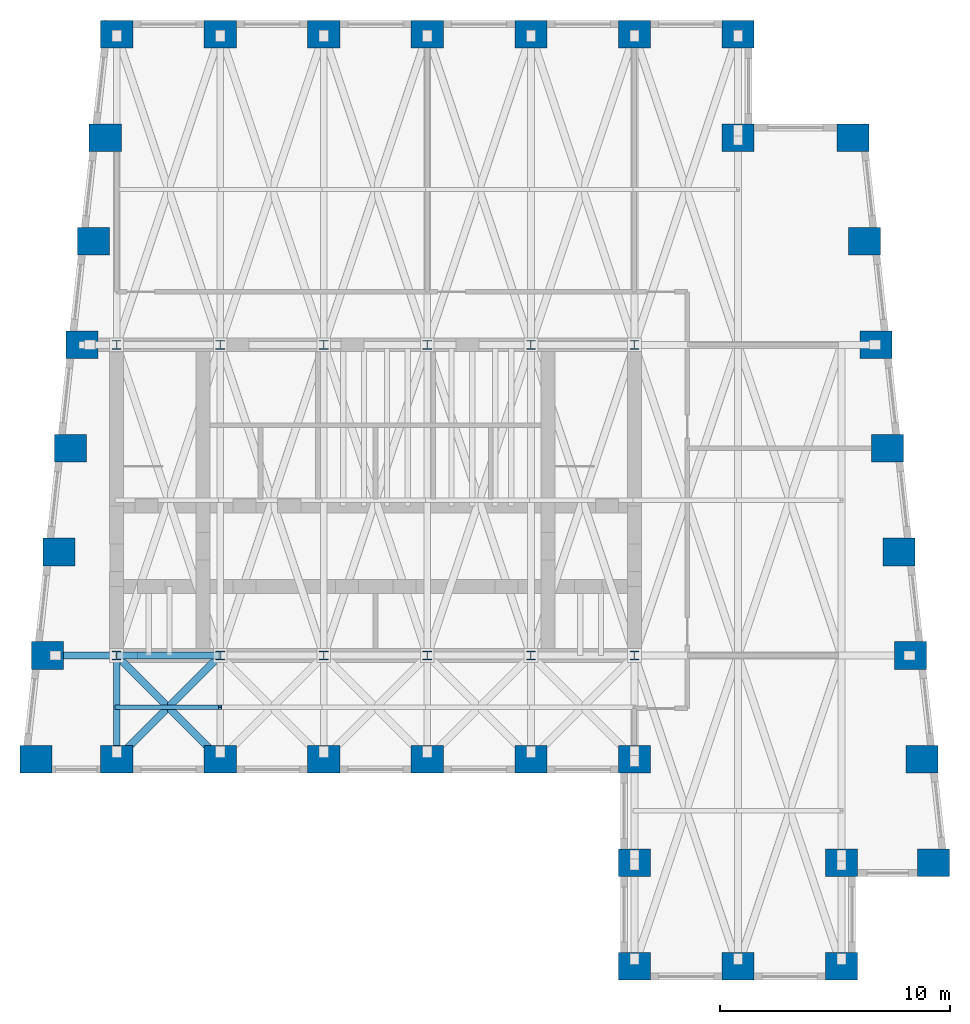
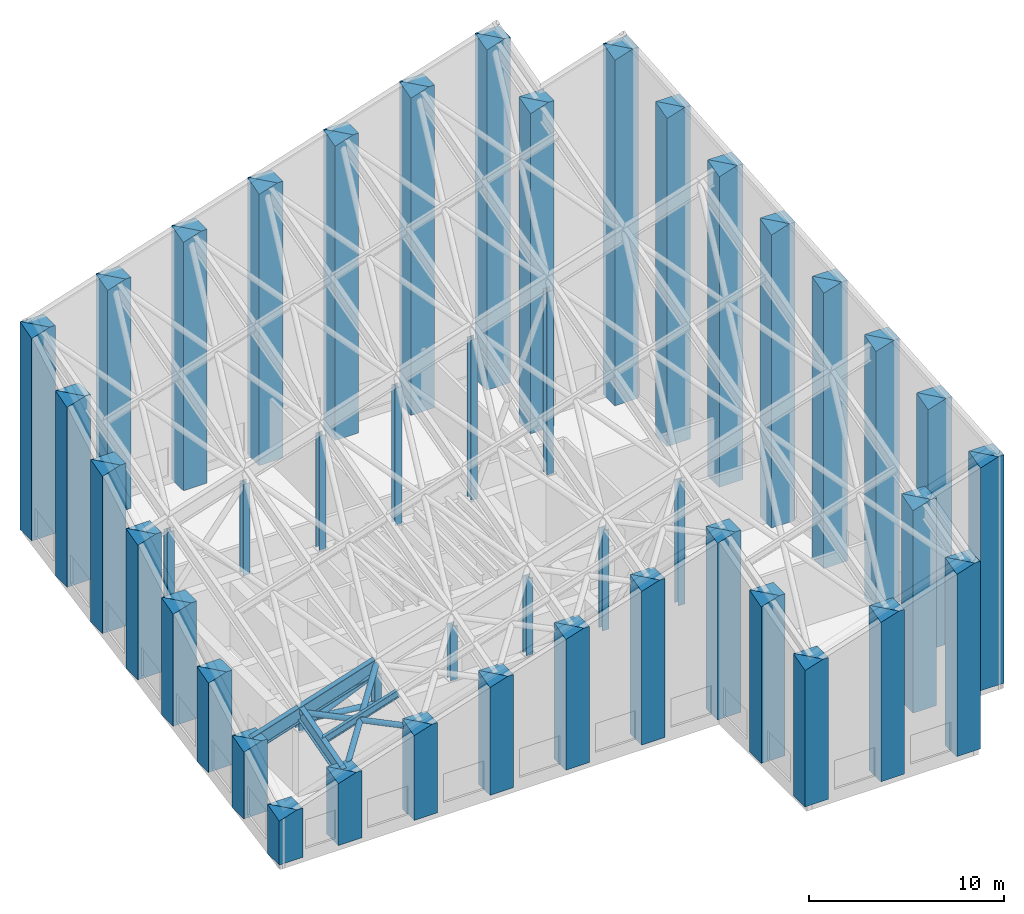
# One storey, part 1 of 7: 46 columns, 4 beams, 4 members.
"""IFC4 building model written with IfcOpenShell, lengths in metres."""

from ifc_helpers import new_model, si_unit, direction, frame, origin, origin_2d, place, context, subcontext, project, spatial, rectangle, hollow_circle, i_section, extrude, clip, halfspace, material, material_profile, profile_set, type_object, element, save


model = new_model("IFC4")

# Units and contexts
model_context = context("Model", 3, precision=1e-05, world=origin(), true_north=direction((0.0, 1.0)))
body_context = subcontext(model_context, "Body", "Model", "MODEL_VIEW")
ifc_project = project(units=[si_unit("LENGTHUNIT", "METRE"), si_unit("AREAUNIT", "SQUARE_METRE"), si_unit("VOLUMEUNIT", "CUBIC_METRE"), si_unit("PLANEANGLEUNIT", "RADIAN"), si_unit("MASSUNIT", "GRAM", prefix="KILO")], contexts=[model_context])

# Site, building, storey
site_placement = place(None, origin())
site = spatial("IfcSite", under=ifc_project, at=site_placement, CompositionType="ELEMENT")
building_placement = place(site_placement, origin())
building = spatial("IfcBuilding", under=site, at=building_placement, Name="Kilele Tower Hotel", CompositionType="ELEMENT")
storey_placement = place(building_placement, frame((0.0, 0.0, 289.699951171875)))
storey = spatial("IfcBuildingStorey", under=building, at=storey_placement, Name="CROWN", CompositionType="ELEMENT", Elevation=289.699951171875)

# Columns
ifc_material_1 = material(Name="Steel S355", Category="steel")
ifc_material_profile_1 = material_profile(ifc_material_1, i_section(OverallWidth=0.39892578125, OverallDepth=0.3935546875, WebThickness=0.022705078125, FlangeThickness=0.03662109375, FilletRadius=0.01513671875, at=origin_2d()))
ifc_profile_set_1 = profile_set([ifc_material_profile_1], Name="Steel S355")
column_type_1 = type_object("IfcColumnType", Name="Crown post UKC 356x406x287", PredefinedType="COLUMN", material=ifc_profile_set_1)
column_1_placement = place(storey_placement, frame((13.5, 13.5, 4.0), z_axis=(0.0, 0.0, 1.0), x_axis=(1.0, 0.0, 0.0)))
element("IfcColumn", 1, at=column_1_placement, inside=storey, type_object=column_type_1, Name="Crown post CP", PredefinedType="COLUMN", context=body_context, shape_type="SweptSolid", body=[
    extrude(i_section(OverallWidth=0.39892578125, OverallDepth=0.3935546875, WebThickness=0.022705078125, FlangeThickness=0.03662109375, FilletRadius=0.01513671875, at=origin_2d()), origin(), (0.0, 0.0, 1.0), 0.509765625),
])
column_2_placement = place(storey_placement, frame((18.0, 13.5, 4.0), z_axis=(0.0, 0.0, 1.0), x_axis=(1.0, 0.0, 0.0)))
element("IfcColumn", 2, at=column_2_placement, inside=storey, type_object=column_type_1, Name="Crown post CP", PredefinedType="COLUMN", context=body_context, shape_type="SweptSolid", body=[
    extrude(i_section(OverallWidth=0.39892578125, OverallDepth=0.3935546875, WebThickness=0.022705078125, FlangeThickness=0.03662109375, FilletRadius=0.01513671875, at=origin_2d()), origin(), (0.0, 0.0, 1.0), 1.949951171875),
])
column_3_placement = place(storey_placement, frame((22.5, 13.5, 4.0), z_axis=(0.0, 0.0, 1.0), x_axis=(1.0, 0.0, 0.0)))
element("IfcColumn", 3, at=column_3_placement, inside=storey, type_object=column_type_1, Name="Crown post CP", PredefinedType="COLUMN", context=body_context, shape_type="SweptSolid", body=[
    extrude(i_section(OverallWidth=0.39892578125, OverallDepth=0.3935546875, WebThickness=0.022705078125, FlangeThickness=0.03662109375, FilletRadius=0.01513671875, at=origin_2d()), origin(), (0.0, 0.0, 1.0), 3.389892578125),
])
column_4_placement = place(storey_placement, frame((27.0, 13.5, 4.0), z_axis=(0.0, 0.0, 1.0), x_axis=(1.0, 0.0, 0.0)))
element("IfcColumn", 4, at=column_4_placement, inside=storey, type_object=column_type_1, Name="Crown post CP", PredefinedType="COLUMN", context=body_context, shape_type="SweptSolid", body=[
    extrude(i_section(OverallWidth=0.39892578125, OverallDepth=0.3935546875, WebThickness=0.022705078125, FlangeThickness=0.03662109375, FilletRadius=0.01513671875, at=origin_2d()), origin(), (0.0, 0.0, 1.0), 4.829833984375),
])
column_5_placement = place(storey_placement, frame((31.5, 13.5, 4.0), z_axis=(0.0, 0.0, 1.0), x_axis=(1.0, 0.0, 0.0)))
element("IfcColumn", 5, at=column_5_placement, inside=storey, type_object=column_type_1, Name="Crown post CP", PredefinedType="COLUMN", context=body_context, shape_type="SweptSolid", body=[
    extrude(i_section(OverallWidth=0.39892578125, OverallDepth=0.3935546875, WebThickness=0.022705078125, FlangeThickness=0.03662109375, FilletRadius=0.01513671875, at=origin_2d()), origin(), (0.0, 0.0, 1.0), 6.269775390625),
])
column_6_placement = place(storey_placement, frame((36.0, 13.5, 4.0), z_axis=(0.0, 0.0, 1.0), x_axis=(1.0, 0.0, 0.0)))
element("IfcColumn", 6, at=column_6_placement, inside=storey, type_object=column_type_1, Name="Crown post CP", PredefinedType="COLUMN", context=body_context, shape_type="SweptSolid", body=[
    extrude(i_section(OverallWidth=0.39892578125, OverallDepth=0.3935546875, WebThickness=0.022705078125, FlangeThickness=0.03662109375, FilletRadius=0.01513671875, at=origin_2d()), origin(), (0.0, 0.0, 1.0), 7.709716796875),
])
column_7_placement = place(storey_placement, frame((13.5, 27.0, 4.0), z_axis=(0.0, 0.0, 1.0), x_axis=(1.0, 0.0, 0.0)))
element("IfcColumn", 7, at=column_7_placement, inside=storey, type_object=column_type_1, Name="Crown post CP", PredefinedType="COLUMN", context=body_context, shape_type="SweptSolid", body=[
    extrude(i_section(OverallWidth=0.39892578125, OverallDepth=0.3935546875, WebThickness=0.022705078125, FlangeThickness=0.03662109375, FilletRadius=0.01513671875, at=origin_2d()), origin(), (0.0, 0.0, 1.0), 4.289794921875),
])
column_8_placement = place(storey_placement, frame((18.0, 27.0, 4.0), z_axis=(0.0, 0.0, 1.0), x_axis=(1.0, 0.0, 0.0)))
element("IfcColumn", 8, at=column_8_placement, inside=storey, type_object=column_type_1, Name="Crown post CP", PredefinedType="COLUMN", context=body_context, shape_type="SweptSolid", body=[
    extrude(i_section(OverallWidth=0.39892578125, OverallDepth=0.3935546875, WebThickness=0.022705078125, FlangeThickness=0.03662109375, FilletRadius=0.01513671875, at=origin_2d()), origin(), (0.0, 0.0, 1.0), 5.729736328125),
])
column_9_placement = place(storey_placement, frame((22.5, 27.0, 4.0), z_axis=(0.0, 0.0, 1.0), x_axis=(1.0, 0.0, 0.0)))
element("IfcColumn", 9, at=column_9_placement, inside=storey, type_object=column_type_1, Name="Crown post CP", PredefinedType="COLUMN", context=body_context, shape_type="SweptSolid", body=[
    extrude(i_section(OverallWidth=0.39892578125, OverallDepth=0.3935546875, WebThickness=0.022705078125, FlangeThickness=0.03662109375, FilletRadius=0.01513671875, at=origin_2d()), origin(), (0.0, 0.0, 1.0), 7.169921875),
])
column_10_placement = place(storey_placement, frame((27.0, 27.0, 4.0), z_axis=(0.0, 0.0, 1.0), x_axis=(1.0, 0.0, 0.0)))
element("IfcColumn", 10, at=column_10_placement, inside=storey, type_object=column_type_1, Name="Crown post CP", PredefinedType="COLUMN", context=body_context, shape_type="SweptSolid", body=[
    extrude(i_section(OverallWidth=0.39892578125, OverallDepth=0.3935546875, WebThickness=0.022705078125, FlangeThickness=0.03662109375, FilletRadius=0.01513671875, at=origin_2d()), origin(), (0.0, 0.0, 1.0), 8.60986328125),
])
column_11_placement = place(storey_placement, frame((31.5, 27.0, 4.0), z_axis=(0.0, 0.0, 1.0), x_axis=(1.0, 0.0, 0.0)))
element("IfcColumn", 11, at=column_11_placement, inside=storey, type_object=column_type_1, Name="Crown post CP", PredefinedType="COLUMN", context=body_context, shape_type="SweptSolid", body=[
    extrude(i_section(OverallWidth=0.39892578125, OverallDepth=0.3935546875, WebThickness=0.022705078125, FlangeThickness=0.03662109375, FilletRadius=0.01513671875, at=origin_2d()), origin(), (0.0, 0.0, 1.0), 10.0498046875),
])
column_12_placement = place(storey_placement, frame((36.0, 27.0, 4.0), z_axis=(0.0, 0.0, 1.0), x_axis=(1.0, 0.0, 0.0)))
element("IfcColumn", 12, at=column_12_placement, inside=storey, type_object=column_type_1, Name="Crown post CP", PredefinedType="COLUMN", context=body_context, shape_type="SweptSolid", body=[
    extrude(i_section(OverallWidth=0.39892578125, OverallDepth=0.3935546875, WebThickness=0.022705078125, FlangeThickness=0.03662109375, FilletRadius=0.01513671875, at=origin_2d()), origin(), (0.0, 0.0, 1.0), 11.48974609375),
])
ifc_material_2 = material(Name="Concrete C60/75", Category="concrete")
ifc_material_profile_2 = material_profile(ifc_material_2, rectangle(XDim=1.39990234375, YDim=1.199951171875, at=origin_2d()))
ifc_profile_set_2 = profile_set([ifc_material_profile_2], Name="Concrete C60/75")
column_type_2 = type_object("IfcColumnType", Name="Tube column RC 1400x1200 C60/75", PredefinedType="COLUMN", material=ifc_profile_set_2)
column_13_placement = place(storey_placement, frame((10.0, 9.0, 0.0), z_axis=(0.0, 0.0, 1.0), x_axis=(1.0, 0.0, 0.0)))
element("IfcColumn", 13, at=column_13_placement, inside=storey, type_object=column_type_2, Name="Column TC5 CROWN", PredefinedType="COLUMN", context=body_context, shape_type="Clipping", body=[
    clip(extrude(rectangle(XDim=1.39990234375, YDim=1.199951171875, at=origin_2d()), origin(), (0.0, 0.0, 1.0), 3.102783203125), halfspace(frame((0.0, 0.0, 3.150634765625), z_axis=(-0.294483896091, -0.25767390908, 0.920262675285), x_axis=(0.952424195267, 0.0, 0.304775576894)), False)),
])
column_14_placement = place(storey_placement, frame((13.5, 9.0, 0.0), z_axis=(0.0, 0.0, 1.0), x_axis=(1.0, 0.0, 0.0)))
element("IfcColumn", 14, at=column_14_placement, inside=storey, type_object=column_type_2, Name="Column TC5 CROWN", PredefinedType="COLUMN", context=body_context, shape_type="Clipping", body=[
    clip(extrude(rectangle(XDim=1.39990234375, YDim=1.199951171875, at=origin_2d()), origin(), (0.0, 0.0, 1.0), 4.22265625), halfspace(frame((0.0, 0.0, 4.270751953125), z_axis=(-0.294483896091, -0.25767390908, 0.920262675285), x_axis=(0.952424195267, 0.0, 0.304775576894)), False)),
])
column_15_placement = place(storey_placement, frame((18.0, 9.0, 0.0), z_axis=(0.0, 0.0, 1.0), x_axis=(1.0, 0.0, 0.0)))
element("IfcColumn", 15, at=column_15_placement, inside=storey, type_object=column_type_2, Name="Column TC5 CROWN", PredefinedType="COLUMN", context=body_context, shape_type="Clipping", body=[
    clip(extrude(rectangle(XDim=1.39990234375, YDim=1.199951171875, at=origin_2d()), origin(), (0.0, 0.0, 1.0), 5.66259765625), halfspace(frame((0.0, 0.0, 5.710693359375), z_axis=(-0.294483896091, -0.25767390908, 0.920262675285), x_axis=(0.952424195267, 0.0, 0.304775576894)), False)),
])
column_16_placement = place(storey_placement, frame((22.5, 9.0, 0.0), z_axis=(0.0, 0.0, 1.0), x_axis=(1.0, 0.0, 0.0)))
element("IfcColumn", 16, at=column_16_placement, inside=storey, type_object=column_type_2, Name="Column TC5 CROWN", PredefinedType="COLUMN", context=body_context, shape_type="Clipping", body=[
    clip(extrude(rectangle(XDim=1.39990234375, YDim=1.199951171875, at=origin_2d()), origin(), (0.0, 0.0, 1.0), 7.102783203125), halfspace(frame((0.0, 0.0, 7.150634765625), z_axis=(-0.294483896091, -0.25767390908, 0.920262675285), x_axis=(0.952424195267, 0.0, 0.304775576894)), False)),
])
column_17_placement = place(storey_placement, frame((27.0, 9.0, 0.0), z_axis=(0.0, 0.0, 1.0), x_axis=(1.0, 0.0, 0.0)))
element("IfcColumn", 17, at=column_17_placement, inside=storey, type_object=column_type_2, Name="Column TC5 CROWN", PredefinedType="COLUMN", context=body_context, shape_type="Clipping", body=[
    clip(extrude(rectangle(XDim=1.39990234375, YDim=1.199951171875, at=origin_2d()), origin(), (0.0, 0.0, 1.0), 8.542724609375), halfspace(frame((0.0, 0.0, 8.5908203125), z_axis=(-0.294483896091, -0.25767390908, 0.920262675285), x_axis=(0.952424195267, 0.0, 0.304775576894)), False)),
])
column_18_placement = place(storey_placement, frame((31.5, 9.0, 0.0), z_axis=(0.0, 0.0, 1.0), x_axis=(1.0, 0.0, 0.0)))
element("IfcColumn", 18, at=column_18_placement, inside=storey, type_object=column_type_2, Name="Column TC5 CROWN", PredefinedType="COLUMN", context=body_context, shape_type="Clipping", body=[
    clip(extrude(rectangle(XDim=1.39990234375, YDim=1.199951171875, at=origin_2d()), origin(), (0.0, 0.0, 1.0), 9.982666015625), halfspace(frame((0.0, 0.0, 10.03076171875), z_axis=(-0.294483896091, -0.25767390908, 0.920262675285), x_axis=(0.952424195267, 0.0, 0.304775576894)), False)),
])
column_19_placement = place(storey_placement, frame((36.0, 9.0, 0.0), z_axis=(0.0, 0.0, 1.0), x_axis=(1.0, 0.0, 0.0)))
element("IfcColumn", 19, at=column_19_placement, inside=storey, type_object=column_type_2, Name="Column TC5 CROWN", PredefinedType="COLUMN", context=body_context, shape_type="Clipping", body=[
    clip(extrude(rectangle(XDim=1.39990234375, YDim=1.199951171875, at=origin_2d()), origin(), (0.0, 0.0, 1.0), 11.422607421875), halfspace(frame((0.0, 0.0, 11.470703125), z_axis=(-0.294483896091, -0.25767390908, 0.920262675285), x_axis=(0.952424195267, 0.0, 0.304775576894)), False)),
])
column_20_placement = place(storey_placement, frame((36.0, 4.5, 0.0), z_axis=(0.0, 0.0, 1.0), x_axis=(1.0, 0.0, 0.0)))
element("IfcColumn", 20, at=column_20_placement, inside=storey, type_object=column_type_2, Name="Column TC5 CROWN", PredefinedType="COLUMN", context=body_context, shape_type="Clipping", body=[
    clip(extrude(rectangle(XDim=1.39990234375, YDim=1.199951171875, at=origin_2d()), origin(), (0.0, 0.0, 1.0), 10.16259765625), halfspace(frame((0.0, 0.0, 10.210693359375), z_axis=(-0.294483896091, -0.25767390908, 0.920262675285), x_axis=(0.952424195267, 0.0, 0.304775576894)), False)),
])
column_21_placement = place(storey_placement, frame((36.0, 0.0, 0.0), z_axis=(0.0, 0.0, 1.0), x_axis=(1.0, 0.0, 0.0)))
element("IfcColumn", 21, at=column_21_placement, inside=storey, type_object=column_type_2, Name="Column TC5 CROWN", PredefinedType="COLUMN", context=body_context, shape_type="Clipping", body=[
    clip(extrude(rectangle(XDim=1.39990234375, YDim=1.199951171875, at=origin_2d()), origin(), (0.0, 0.0, 1.0), 8.90283203125), halfspace(frame((0.0, 0.0, 8.95068359375), z_axis=(-0.294483896091, -0.25767390908, 0.920262675285), x_axis=(0.952424195267, 0.0, 0.304775576894)), False)),
])
column_22_placement = place(storey_placement, frame((40.5, 0.0, 0.0), z_axis=(0.0, 0.0, 1.0), x_axis=(1.0, 0.0, 0.0)))
element("IfcColumn", 22, at=column_22_placement, inside=storey, type_object=column_type_2, Name="Column TC5 CROWN", PredefinedType="COLUMN", context=body_context, shape_type="Clipping", body=[
    clip(extrude(rectangle(XDim=1.39990234375, YDim=1.199951171875, at=origin_2d()), origin(), (0.0, 0.0, 1.0), 10.3427734375), halfspace(frame((0.0, 0.0, 10.390869140625), z_axis=(-0.294483896091, -0.25767390908, 0.920262675285), x_axis=(0.952424195267, 0.0, 0.304775576894)), False)),
])
column_23_placement = place(storey_placement, frame((45.0, 0.0, 0.0), z_axis=(0.0, 0.0, 1.0), x_axis=(1.0, 0.0, 0.0)))
element("IfcColumn", 23, at=column_23_placement, inside=storey, type_object=column_type_2, Name="Column TC5 CROWN", PredefinedType="COLUMN", context=body_context, shape_type="Clipping", body=[
    clip(extrude(rectangle(XDim=1.39990234375, YDim=1.199951171875, at=origin_2d()), origin(), (0.0, 0.0, 1.0), 11.78271484375), halfspace(frame((0.0, 0.0, 11.830810546875), z_axis=(-0.294483896091, -0.25767390908, 0.920262675285), x_axis=(0.952424195267, 0.0, 0.304775576894)), False)),
])
column_24_placement = place(storey_placement, frame((45.0, 4.5, 0.0), z_axis=(0.0, 0.0, 1.0), x_axis=(1.0, 0.0, 0.0)))
element("IfcColumn", 24, at=column_24_placement, inside=storey, type_object=column_type_2, Name="Column TC5 CROWN", PredefinedType="COLUMN", context=body_context, shape_type="Clipping", body=[
    clip(extrude(rectangle(XDim=1.39990234375, YDim=1.199951171875, at=origin_2d()), origin(), (0.0, 0.0, 1.0), 13.042724609375), halfspace(frame((0.0, 0.0, 13.0908203125), z_axis=(-0.294483896091, -0.25767390908, 0.920262675285), x_axis=(0.952424195267, 0.0, 0.304775576894)), False)),
])
column_25_placement = place(storey_placement, frame((49.0, 4.5, 0.0), z_axis=(0.0, 0.0, 1.0), x_axis=(1.0, 0.0, 0.0)))
element("IfcColumn", 25, at=column_25_placement, inside=storey, type_object=column_type_2, Name="Column TC5 CROWN", PredefinedType="COLUMN", context=body_context, shape_type="Clipping", body=[
    clip(extrude(rectangle(XDim=1.39990234375, YDim=1.199951171875, at=origin_2d()), origin(), (0.0, 0.0, 1.0), 14.32275390625), halfspace(frame((0.0, 0.0, 14.370849609375), z_axis=(-0.294483896091, -0.25767390908, 0.920262675285), x_axis=(0.952424195267, 0.0, 0.304775576894)), False)),
])
column_26_placement = place(storey_placement, frame((48.5, 9.0, 0.0), z_axis=(0.0, 0.0, 1.0), x_axis=(1.0, 0.0, 0.0)))
element("IfcColumn", 26, at=column_26_placement, inside=storey, type_object=column_type_2, Name="Column TC5 CROWN", PredefinedType="COLUMN", context=body_context, shape_type="Clipping", body=[
    clip(extrude(rectangle(XDim=1.39990234375, YDim=1.199951171875, at=origin_2d()), origin(), (0.0, 0.0, 1.0), 15.422607421875), halfspace(frame((0.0, 0.0, 15.470703125), z_axis=(-0.294483896091, -0.25767390908, 0.920262675285), x_axis=(0.952424195267, 0.0, 0.304775576894)), False)),
])
column_27_placement = place(storey_placement, frame((48.0, 13.5, 0.0), z_axis=(0.0, 0.0, 1.0), x_axis=(1.0, 0.0, 0.0)))
element("IfcColumn", 27, at=column_27_placement, inside=storey, type_object=column_type_2, Name="Column TC5 CROWN", PredefinedType="COLUMN", context=body_context, shape_type="Clipping", body=[
    clip(extrude(rectangle(XDim=1.39990234375, YDim=1.199951171875, at=origin_2d()), origin(), (0.0, 0.0, 1.0), 16.522705078125), halfspace(frame((0.0, 0.0, 16.57080078125), z_axis=(-0.294483896091, -0.25767390908, 0.920262675285), x_axis=(0.952424195267, 0.0, 0.304775576894)), False)),
])
column_28_placement = place(storey_placement, frame((47.5, 18.0, 0.0), z_axis=(0.0, 0.0, 1.0), x_axis=(1.0, 0.0, 0.0)))
element("IfcColumn", 28, at=column_28_placement, inside=storey, type_object=column_type_2, Name="Column TC5 CROWN", PredefinedType="COLUMN", context=body_context, shape_type="Clipping", body=[
    clip(extrude(rectangle(XDim=1.39990234375, YDim=1.199951171875, at=origin_2d()), origin(), (0.0, 0.0, 1.0), 17.622802734375), halfspace(frame((0.0, 0.0, 17.670654296875), z_axis=(-0.294483896091, -0.25767390908, 0.920262675285), x_axis=(0.952424195267, 0.0, 0.304775576894)), False)),
])
column_29_placement = place(storey_placement, frame((47.0, 22.5, 0.0), z_axis=(0.0, 0.0, 1.0), x_axis=(1.0, 0.0, 0.0)))
element("IfcColumn", 29, at=column_29_placement, inside=storey, type_object=column_type_2, Name="Column TC5 CROWN", PredefinedType="COLUMN", context=body_context, shape_type="Clipping", body=[
    clip(extrude(rectangle(XDim=1.39990234375, YDim=1.199951171875, at=origin_2d()), origin(), (0.0, 0.0, 1.0), 18.72265625), halfspace(frame((0.0, 0.0, 18.770751953125), z_axis=(-0.294483896091, -0.25767390908, 0.920262675285), x_axis=(0.952424195267, 0.0, 0.304775576894)), False)),
])
column_30_placement = place(storey_placement, frame((46.5, 27.0, 0.0), z_axis=(0.0, 0.0, 1.0), x_axis=(1.0, 0.0, 0.0)))
element("IfcColumn", 30, at=column_30_placement, inside=storey, type_object=column_type_2, Name="Column TC5 CROWN", PredefinedType="COLUMN", context=body_context, shape_type="Clipping", body=[
    clip(extrude(rectangle(XDim=1.39990234375, YDim=1.199951171875, at=origin_2d()), origin(), (0.0, 0.0, 1.0), 19.82275390625), halfspace(frame((0.0, 0.0, 19.870849609375), z_axis=(-0.294483896091, -0.25767390908, 0.920262675285), x_axis=(0.952424195267, 0.0, 0.304775576894)), False)),
])
column_31_placement = place(storey_placement, frame((46.0, 31.5, 0.0), z_axis=(0.0, 0.0, 1.0), x_axis=(1.0, 0.0, 0.0)))
element("IfcColumn", 31, at=column_31_placement, inside=storey, type_object=column_type_2, Name="Column TC5 CROWN", PredefinedType="COLUMN", context=body_context, shape_type="Clipping", body=[
    clip(extrude(rectangle(XDim=1.39990234375, YDim=1.199951171875, at=origin_2d()), origin(), (0.0, 0.0, 1.0), 20.922607421875), halfspace(frame((0.0, 0.0, 20.970703125), z_axis=(-0.294483896091, -0.25767390908, 0.920262675285), x_axis=(0.952424195267, 0.0, 0.304775576894)), False)),
])
column_32_placement = place(storey_placement, frame((45.5, 36.0, 0.0), z_axis=(0.0, 0.0, 1.0), x_axis=(1.0, 0.0, 0.0)))
element("IfcColumn", 32, at=column_32_placement, inside=storey, type_object=column_type_2, Name="Column TC5 CROWN", PredefinedType="COLUMN", context=body_context, shape_type="Clipping", body=[
    clip(extrude(rectangle(XDim=1.39990234375, YDim=1.199951171875, at=origin_2d()), origin(), (0.0, 0.0, 1.0), 22.022705078125), halfspace(frame((0.0, 0.0, 22.07080078125), z_axis=(-0.294483896091, -0.25767390908, 0.920262675285), x_axis=(0.952424195267, 0.0, 0.304775576894)), False)),
])
column_33_placement = place(storey_placement, frame((40.5, 36.0, 0.0), z_axis=(0.0, 0.0, 1.0), x_axis=(1.0, 0.0, 0.0)))
element("IfcColumn", 33, at=column_33_placement, inside=storey, type_object=column_type_2, Name="Column TC5 CROWN", PredefinedType="COLUMN", context=body_context, shape_type="Clipping", body=[
    clip(extrude(rectangle(XDim=1.39990234375, YDim=1.199951171875, at=origin_2d()), origin(), (0.0, 0.0, 1.0), 20.422607421875), halfspace(frame((0.0, 0.0, 20.470703125), z_axis=(-0.294483896091, -0.25767390908, 0.920262675285), x_axis=(0.952424195267, 0.0, 0.304775576894)), False)),
])
column_34_placement = place(storey_placement, frame((40.5, 40.5, 0.0), z_axis=(0.0, 0.0, 1.0), x_axis=(1.0, 0.0, 0.0)))
element("IfcColumn", 34, at=column_34_placement, inside=storey, type_object=column_type_2, Name="Column TC5 CROWN", PredefinedType="COLUMN", context=body_context, shape_type="Clipping", body=[
    clip(extrude(rectangle(XDim=1.39990234375, YDim=1.199951171875, at=origin_2d()), origin(), (0.0, 0.0, 1.0), 21.6826171875), halfspace(frame((0.0, 0.0, 21.730712890625), z_axis=(-0.294483896091, -0.25767390908, 0.920262675285), x_axis=(0.952424195267, 0.0, 0.304775576894)), False)),
])
column_35_placement = place(storey_placement, frame((36.0, 40.5, 0.0), z_axis=(0.0, 0.0, 1.0), x_axis=(1.0, 0.0, 0.0)))
element("IfcColumn", 35, at=column_35_placement, inside=storey, type_object=column_type_2, Name="Column TC5 CROWN", PredefinedType="COLUMN", context=body_context, shape_type="Clipping", body=[
    clip(extrude(rectangle(XDim=1.39990234375, YDim=1.199951171875, at=origin_2d()), origin(), (0.0, 0.0, 1.0), 20.24267578125), halfspace(frame((0.0, 0.0, 20.290771484375), z_axis=(-0.294483896091, -0.25767390908, 0.920262675285), x_axis=(0.952424195267, 0.0, 0.304775576894)), False)),
])
column_36_placement = place(storey_placement, frame((31.5, 40.5, 0.0), z_axis=(0.0, 0.0, 1.0), x_axis=(1.0, 0.0, 0.0)))
element("IfcColumn", 36, at=column_36_placement, inside=storey, type_object=column_type_2, Name="Column TC5 CROWN", PredefinedType="COLUMN", context=body_context, shape_type="Clipping", body=[
    clip(extrude(rectangle(XDim=1.39990234375, YDim=1.199951171875, at=origin_2d()), origin(), (0.0, 0.0, 1.0), 18.802734375), halfspace(frame((0.0, 0.0, 18.850830078125), z_axis=(-0.294483896091, -0.25767390908, 0.920262675285), x_axis=(0.952424195267, 0.0, 0.304775576894)), False)),
])
column_37_placement = place(storey_placement, frame((27.0, 40.5, 0.0), z_axis=(0.0, 0.0, 1.0), x_axis=(1.0, 0.0, 0.0)))
element("IfcColumn", 37, at=column_37_placement, inside=storey, type_object=column_type_2, Name="Column TC5 CROWN", PredefinedType="COLUMN", context=body_context, shape_type="Clipping", body=[
    clip(extrude(rectangle(XDim=1.39990234375, YDim=1.199951171875, at=origin_2d()), origin(), (0.0, 0.0, 1.0), 17.36279296875), halfspace(frame((0.0, 0.0, 17.41064453125), z_axis=(-0.294483896091, -0.25767390908, 0.920262675285), x_axis=(0.952424195267, 0.0, 0.304775576894)), False)),
])
column_38_placement = place(storey_placement, frame((22.5, 40.5, 0.0), z_axis=(0.0, 0.0, 1.0), x_axis=(1.0, 0.0, 0.0)))
element("IfcColumn", 38, at=column_38_placement, inside=storey, type_object=column_type_2, Name="Column TC5 CROWN", PredefinedType="COLUMN", context=body_context, shape_type="Clipping", body=[
    clip(extrude(rectangle(XDim=1.39990234375, YDim=1.199951171875, at=origin_2d()), origin(), (0.0, 0.0, 1.0), 15.922607421875), halfspace(frame((0.0, 0.0, 15.970703125), z_axis=(-0.294483896091, -0.25767390908, 0.920262675285), x_axis=(0.952424195267, 0.0, 0.304775576894)), False)),
])
column_39_placement = place(storey_placement, frame((18.0, 40.5, 0.0), z_axis=(0.0, 0.0, 1.0), x_axis=(1.0, 0.0, 0.0)))
element("IfcColumn", 39, at=column_39_placement, inside=storey, type_object=column_type_2, Name="Column TC5 CROWN", PredefinedType="COLUMN", context=body_context, shape_type="Clipping", body=[
    clip(extrude(rectangle(XDim=1.39990234375, YDim=1.199951171875, at=origin_2d()), origin(), (0.0, 0.0, 1.0), 14.482666015625), halfspace(frame((0.0, 0.0, 14.53076171875), z_axis=(-0.294483896091, -0.25767390908, 0.920262675285), x_axis=(0.952424195267, 0.0, 0.304775576894)), False)),
])
column_40_placement = place(storey_placement, frame((13.5, 40.5, 0.0), z_axis=(0.0, 0.0, 1.0), x_axis=(1.0, 0.0, 0.0)))
element("IfcColumn", 40, at=column_40_placement, inside=storey, type_object=column_type_2, Name="Column TC5 CROWN", PredefinedType="COLUMN", context=body_context, shape_type="Clipping", body=[
    clip(extrude(rectangle(XDim=1.39990234375, YDim=1.199951171875, at=origin_2d()), origin(), (0.0, 0.0, 1.0), 13.042724609375), halfspace(frame((0.0, 0.0, 13.0908203125), z_axis=(-0.294483896091, -0.25767390908, 0.920262675285), x_axis=(0.952424195267, 0.0, 0.304775576894)), False)),
])
column_41_placement = place(storey_placement, frame((13.0, 36.0, 0.0), z_axis=(0.0, 0.0, 1.0), x_axis=(1.0, 0.0, 0.0)))
element("IfcColumn", 41, at=column_41_placement, inside=storey, type_object=column_type_2, Name="Column TC5 CROWN", PredefinedType="COLUMN", context=body_context, shape_type="Clipping", body=[
    clip(extrude(rectangle(XDim=1.39990234375, YDim=1.199951171875, at=origin_2d()), origin(), (0.0, 0.0, 1.0), 11.622802734375), halfspace(frame((0.0, 0.0, 11.670654296875), z_axis=(-0.294483896091, -0.25767390908, 0.920262675285), x_axis=(0.952424195267, 0.0, 0.304775576894)), False)),
])
column_42_placement = place(storey_placement, frame((12.5, 31.5, 0.0), z_axis=(0.0, 0.0, 1.0), x_axis=(1.0, 0.0, 0.0)))
element("IfcColumn", 42, at=column_42_placement, inside=storey, type_object=column_type_2, Name="Column TC5 CROWN", PredefinedType="COLUMN", context=body_context, shape_type="Clipping", body=[
    clip(extrude(rectangle(XDim=1.39990234375, YDim=1.199951171875, at=origin_2d()), origin(), (0.0, 0.0, 1.0), 10.20263671875), halfspace(frame((0.0, 0.0, 10.250732421875), z_axis=(-0.294483896091, -0.25767390908, 0.920262675285), x_axis=(0.952424195267, 0.0, 0.304775576894)), False)),
])
column_43_placement = place(storey_placement, frame((12.0, 27.0, 0.0), z_axis=(0.0, 0.0, 1.0), x_axis=(1.0, 0.0, 0.0)))
element("IfcColumn", 43, at=column_43_placement, inside=storey, type_object=column_type_2, Name="Column TC5 CROWN", PredefinedType="COLUMN", context=body_context, shape_type="Clipping", body=[
    clip(extrude(rectangle(XDim=1.39990234375, YDim=1.199951171875, at=origin_2d()), origin(), (0.0, 0.0, 1.0), 8.78271484375), halfspace(frame((0.0, 0.0, 8.830810546875), z_axis=(-0.294483896091, -0.25767390908, 0.920262675285), x_axis=(0.952424195267, 0.0, 0.304775576894)), False)),
])
column_44_placement = place(storey_placement, frame((11.5, 22.5, 0.0), z_axis=(0.0, 0.0, 1.0), x_axis=(1.0, 0.0, 0.0)))
element("IfcColumn", 44, at=column_44_placement, inside=storey, type_object=column_type_2, Name="Column TC5 CROWN", PredefinedType="COLUMN", context=body_context, shape_type="Clipping", body=[
    clip(extrude(rectangle(XDim=1.39990234375, YDim=1.199951171875, at=origin_2d()), origin(), (0.0, 0.0, 1.0), 7.36279296875), halfspace(frame((0.0, 0.0, 7.41064453125), z_axis=(-0.294483896091, -0.25767390908, 0.920262675285), x_axis=(0.952424195267, 0.0, 0.304775576894)), False)),
])
column_45_placement = place(storey_placement, frame((11.0, 18.0, 0.0), z_axis=(0.0, 0.0, 1.0), x_axis=(1.0, 0.0, 0.0)))
element("IfcColumn", 45, at=column_45_placement, inside=storey, type_object=column_type_2, Name="Column TC5 CROWN", PredefinedType="COLUMN", context=body_context, shape_type="Clipping", body=[
    clip(extrude(rectangle(XDim=1.39990234375, YDim=1.199951171875, at=origin_2d()), origin(), (0.0, 0.0, 1.0), 5.942626953125), halfspace(frame((0.0, 0.0, 5.99072265625), z_axis=(-0.294483896091, -0.25767390908, 0.920262675285), x_axis=(0.952424195267, 0.0, 0.304775576894)), False)),
])
column_46_placement = place(storey_placement, frame((10.5, 13.5, 0.0), z_axis=(0.0, 0.0, 1.0), x_axis=(1.0, 0.0, 0.0)))
element("IfcColumn", 46, at=column_46_placement, inside=storey, type_object=column_type_2, Name="Column TC5 CROWN", PredefinedType="COLUMN", context=body_context, shape_type="Clipping", body=[
    clip(extrude(rectangle(XDim=1.39990234375, YDim=1.199951171875, at=origin_2d()), origin(), (0.0, 0.0, 1.0), 4.522705078125), halfspace(frame((0.0, 0.0, 4.57080078125), z_axis=(-0.294483896091, -0.25767390908, 0.920262675285), x_axis=(0.952424195267, 0.0, 0.304775576894)), False)),
])

# Beams
ifc_material_3 = material(Name="Steel S355", Category="steel")
ifc_material_profile_3 = material_profile(ifc_material_3, i_section(OverallWidth=0.3076171875, OverallDepth=0.926513671875, WebThickness=0.01953125, FlangeThickness=0.031982421875, FilletRadius=0.01904296875, at=origin_2d()))
ifc_profile_set_3 = profile_set([ifc_material_profile_3], Name="Steel S355")
beam_type_1 = type_object("IfcBeamType", Name="Crown girder UKB 914x305x289", PredefinedType="BEAM", material=ifc_profile_set_3)
beam_1_placement = place(storey_placement, frame((10.5, 13.5, 4.036376953125), z_axis=(0.95242774696, 0.0, 0.304764477624), x_axis=(0.0, 1.0, 0.0)))
element("IfcBeam", 47, at=beam_1_placement, inside=storey, type_object=beam_type_1, Name="Crown girder CG", PredefinedType="BEAM", context=body_context, shape_type="SweptSolid", body=[
    extrude(i_section(OverallWidth=0.3076171875, OverallDepth=0.926513671875, WebThickness=0.01953125, FlangeThickness=0.031982421875, FilletRadius=0.01904296875, at=origin_2d()), origin(), (0.0, 0.0, 1.0), 3.14990234375),
])
beam_2_placement = place(storey_placement, frame((13.5, 13.5, 4.996337890625), z_axis=(0.95242774696, 0.0, 0.304764477624), x_axis=(0.0, 1.0, 0.0)))
element("IfcBeam", 48, at=beam_2_placement, inside=storey, type_object=beam_type_1, Name="Crown girder CG", PredefinedType="BEAM", context=body_context, shape_type="SweptSolid", body=[
    extrude(i_section(OverallWidth=0.3076171875, OverallDepth=0.926513671875, WebThickness=0.01953125, FlangeThickness=0.031982421875, FilletRadius=0.01904296875, at=origin_2d()), origin(), (0.0, 0.0, 1.0), 4.724853515625),
])

# Members
ifc_material_4 = material(Name="Steel S355", Category="steel")
ifc_material_profile_4 = material_profile(ifc_material_4, hollow_circle(Radius=0.161865234375, WallThickness=0.012451171875, at=origin_2d()))
ifc_profile_set_4 = profile_set([ifc_material_profile_4], Name="Steel S355")
member_type_1 = type_object("IfcMemberType", Name="Crown roof brace CHS 323.9x12.5", PredefinedType="BRACE", material=ifc_profile_set_4)
member_1_placement = place(storey_placement, frame((13.5, 9.0, 3.781005859375), z_axis=(0.650946350624, 0.650946350624, 0.390560747155), x_axis=(-0.707106781187, 0.707106781187, 0.0)))
element("IfcMember", 49, at=member_1_placement, inside=storey, type_object=member_type_1, Name="Crown roof brace CRB", PredefinedType="BRACE", context=body_context, shape_type="SweptSolid", body=[
    extrude(hollow_circle(Radius=0.161865234375, WallThickness=0.012451171875, at=origin_2d()), origin(), (0.0, 0.0, 1.0), 6.9130859375),
])
member_2_placement = place(storey_placement, frame((13.5, 13.5, 5.041015625), z_axis=(0.706824322601, -0.706824322601, 0.028262235555), x_axis=(0.707106781187, 0.707106781187, 0.0)))
element("IfcMember", 50, at=member_2_placement, inside=storey, type_object=member_type_1, Name="Crown roof brace CRB", PredefinedType="BRACE", context=body_context, shape_type="SweptSolid", body=[
    extrude(hollow_circle(Radius=0.161865234375, WallThickness=0.012451171875, at=origin_2d()), origin(), (0.0, 0.0, 1.0), 6.366455078125),
])
ifc_material_5 = material(Name="Steel S355", Category="steel")
ifc_material_profile_5 = material_profile(ifc_material_5, hollow_circle(Radius=0.161865234375, WallThickness=0.012451171875, at=origin_2d()))
ifc_profile_set_5 = profile_set([ifc_material_profile_5], Name="Steel S355")
member_type_2 = type_object("IfcMemberType", Name="Crown vertical brace CHS 323.9x12.5", PredefinedType="BRACE", material=ifc_profile_set_5)
member_3_placement = place(storey_placement, frame((13.5, 13.5, 4.0), z_axis=(0.917559257545, 0.0, 0.397599055448), x_axis=(0.0, 1.0, 0.0)))
element("IfcMember", 51, at=member_3_placement, inside=storey, type_object=member_type_2, Name="Crown vertical brace CVB", PredefinedType="BRACE", context=body_context, shape_type="SweptSolid", body=[
    extrude(hollow_circle(Radius=0.161865234375, WallThickness=0.012451171875, at=origin_2d()), origin(), (0.0, 0.0, 1.0), 4.904296875),
])
member_4_placement = place(storey_placement, frame((18.0, 13.5, 4.0), z_axis=(-0.993644779902, 0.0, 0.112561322723), x_axis=(0.0, -1.0, 0.0)))
element("IfcMember", 52, at=member_4_placement, inside=storey, type_object=member_type_2, Name="Crown vertical brace CVB", PredefinedType="BRACE", context=body_context, shape_type="SweptSolid", body=[
    extrude(hollow_circle(Radius=0.161865234375, WallThickness=0.012451171875, at=origin_2d()), origin(), (0.0, 0.0, 1.0), 4.52880859375),
])

# Beams
ifc_material_6 = material(Name="Steel S355", Category="steel")
ifc_material_profile_6 = material_profile(ifc_material_6, i_section(OverallWidth=0.19140625, OverallDepth=0.4599609375, WebThickness=0.010009765625, FlangeThickness=0.01611328125, FilletRadius=0.01025390625, at=origin_2d()))
ifc_profile_set_6 = profile_set([ifc_material_profile_6], Name="Steel S355")
beam_type_2 = type_object("IfcBeamType", Name="Purlin UKB 457x191x82", PredefinedType="USERDEFINED", material=ifc_profile_set_6)
beam_3_placement = place(storey_placement, frame((13.5, 11.25, 4.611328125), z_axis=(0.95242774696, 0.0, 0.304764477624), x_axis=(0.0, 1.0, 0.0)))
element("IfcBeam", 53, at=beam_3_placement, inside=storey, type_object=beam_type_2, Name="Purlin CPU", ObjectType="PURLIN", PredefinedType="USERDEFINED", context=body_context, shape_type="SweptSolid", body=[
    extrude(i_section(OverallWidth=0.19140625, OverallDepth=0.4599609375, WebThickness=0.010009765625, FlangeThickness=0.01611328125, FilletRadius=0.01025390625, at=origin_2d()), origin(), (0.0, 0.0, 1.0), 4.724853515625),
])
ifc_material_7 = material(Name="Steel S355", Category="steel")
ifc_material_profile_7 = material_profile(ifc_material_7, i_section(OverallWidth=0.293701171875, OverallDepth=0.850830078125, WebThickness=0.01611328125, FlangeThickness=0.02685546875, FilletRadius=0.017822265625, at=origin_2d()))
ifc_profile_set_7 = profile_set([ifc_material_profile_7], Name="Steel S355")
beam_type_3 = type_object("IfcBeamType", Name="Rafter UKB 838x292x226 short span edge", PredefinedType="USERDEFINED", material=ifc_profile_set_7)
beam_4_placement = place(storey_placement, frame((13.5, 9.0, 3.781005859375), z_axis=(0.0, 0.962963477118, 0.269631863357), x_axis=(-1.0, 0.0, 0.0)))
element("IfcBeam", 54, at=beam_4_placement, inside=storey, type_object=beam_type_3, Name="Rafter CR5", ObjectType="RAFTER", PredefinedType="USERDEFINED", context=body_context, shape_type="SweptSolid", body=[
    extrude(i_section(OverallWidth=0.293701171875, OverallDepth=0.850830078125, WebThickness=0.01611328125, FlangeThickness=0.02685546875, FilletRadius=0.017822265625, at=origin_2d()), origin(), (0.0, 0.0, 1.0), 4.673095703125),
])

save(model, "model.ifc")
